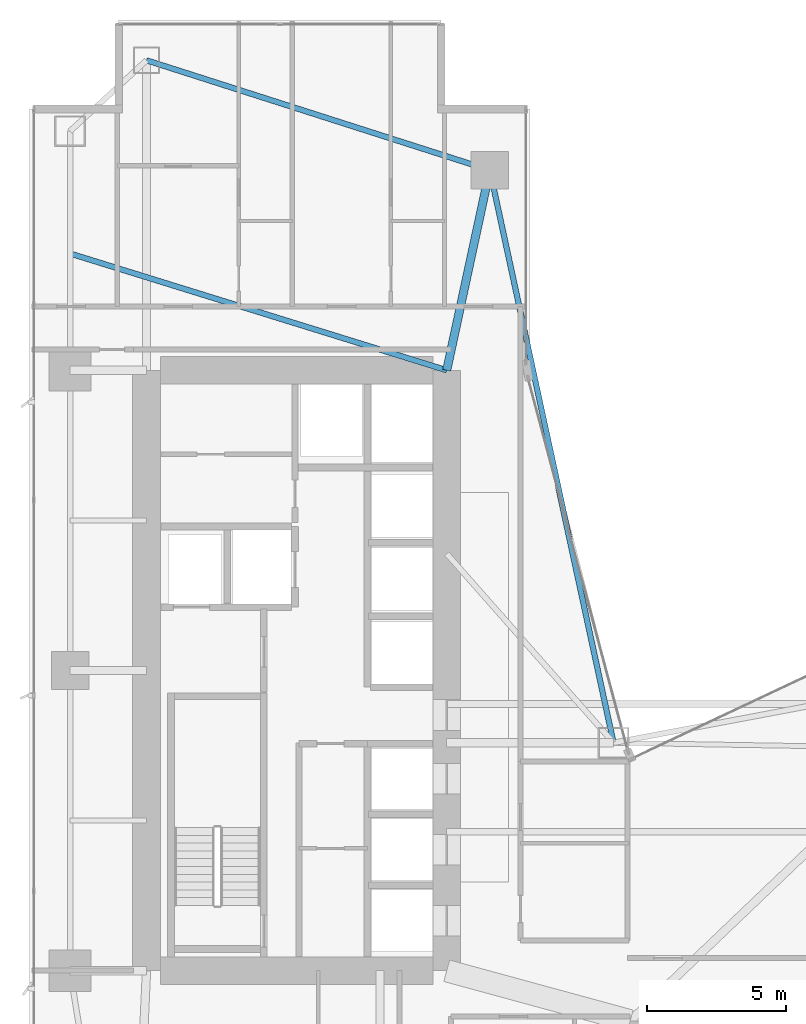
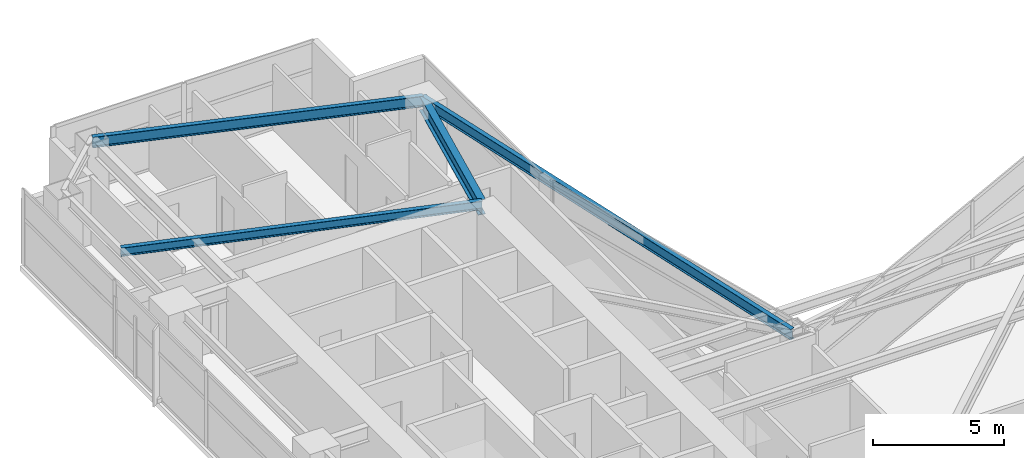
# One storey, part 17 of 29: 4 beams.
"""IFC4 building model written with IfcOpenShell, lengths in metres."""

import ifcopenshell
import ifcopenshell.guid

model = None  # the IFC model being written
_history = None  # IfcOwnerHistory: only IFC2X3 demands one
_inside = {}  # id of a spatial element -> (the spatial element, [elements in it])
_under = {}  # id of a project, library or spatial element -> (it, [spatial elements below it])
_declared = {}  # id of a project -> (the project, [libraries it declares])
_typed = {}  # id of a type object -> (the type object, [elements of that type])
_made_of = {}  # id of a material, layer set ... -> (it, [elements and type objects made of it])


def new_model(schema):
    """Start an empty IFC model of exactly this schema.

    Asked for "IFC4X3", IfcOpenShell would pick the latest addendum, in which some entities
    have other attributes; the version numbers below select the first issue.
    IFC2X3 requires an IfcOwnerHistory on every rooted entity: one is made here for all.
    """
    global model, _history
    if schema == "IFC4X3":
        model = ifcopenshell.file(schema_version=(4, 3, 0, 0))
    else:
        model = ifcopenshell.file(schema=schema)
    _inside.clear()
    _under.clear()
    _declared.clear()
    _typed.clear()
    _made_of.clear()
    _history = None
    if model.schema == "IFC2X3":
        org = make("IfcOrganization", Name="unknown")
        user = make(
            "IfcPersonAndOrganization",
            ThePerson=make("IfcPerson", FamilyName="unknown"),
            TheOrganization=org,
        )
        app = make(
            "IfcApplication",
            ApplicationDeveloper=org,
            Version="unknown",
            ApplicationFullName="unknown",
            ApplicationIdentifier="unknown",
        )
        _history = make(
            "IfcOwnerHistory",
            OwningUser=user,
            OwningApplication=app,
            ChangeAction="ADDED",
            CreationDate=0,
        )
    return model


def make(cls, **values):
    """One entity of the class cls with the attributes given. An attribute that is None is left unset."""
    return model.create_entity(
        cls, **{name: value for name, value in values.items() if value is not None}
    )


def rooted(cls, **values):
    """An entity with a GlobalId (a new one), such as an element, a storey or a relation."""
    return make(cls, GlobalId=ifcopenshell.guid.new(), OwnerHistory=_history, **values)


def si_unit(unit_type, name, prefix=None):
    """IfcSIUnit, for example si_unit("LENGTHUNIT", "METRE", prefix="MILLI")."""
    return make("IfcSIUnit", UnitType=unit_type, Prefix=prefix, Name=name)


def assignment(units):
    """IfcUnitAssignment: the units of a project."""
    return None if units is None else make("IfcUnitAssignment", Units=units)


def point(xyz):
    """IfcCartesianPoint."""
    return None if xyz is None else make("IfcCartesianPoint", Coordinates=xyz)


def direction(xyz):
    """IfcDirection."""
    return None if xyz is None else make("IfcDirection", DirectionRatios=xyz)


def frame(location, z_axis=None, x_axis=None):
    """IfcAxis2Placement3D, a coordinate frame: its origin and axes. An axis left out is left unset."""
    return make(
        "IfcAxis2Placement3D",
        Location=point(location),
        Axis=direction(z_axis),
        RefDirection=direction(x_axis),
    )


def frame_2d(location, x_axis=None):
    """IfcAxis2Placement2D, a coordinate frame in the plane: its origin and x axis."""
    return make(
        "IfcAxis2Placement2D", Location=point(location), RefDirection=direction(x_axis)
    )


def origin():
    """The frame at (0, 0, 0) with its axes left unset."""
    return frame((0.0, 0.0, 0.0))


def origin_2d():
    """The frame at (0, 0) in the plane with its x axis left unset."""
    return frame_2d((0.0, 0.0))


def place(relative_to, where):
    """IfcLocalPlacement: puts the frame where relative to a parent placement (None: the world)."""
    return make(
        "IfcLocalPlacement", PlacementRelTo=relative_to, RelativePlacement=where
    )


def context(
    kind, dimensions, precision=None, world=None, true_north=None, identifier=None
):
    """IfcGeometricRepresentationContext, for example the 3D "Model" context."""
    return make(
        "IfcGeometricRepresentationContext",
        ContextIdentifier=identifier,
        ContextType=kind,
        CoordinateSpaceDimension=dimensions,
        Precision=precision,
        WorldCoordinateSystem=world,
        TrueNorth=true_north,
    )


def subcontext(parent, identifier, kind, view, scale=None):
    """IfcGeometricRepresentationSubContext, for example "Body" below "Model"."""
    return make(
        "IfcGeometricRepresentationSubContext",
        ContextIdentifier=identifier,
        ContextType=kind,
        ParentContext=parent,
        TargetScale=scale,
        TargetView=view,
    )


def project(units=None, contexts=None):
    """IfcProject with its units and contexts."""
    return rooted(
        "IfcProject",
        Name="project",
        RepresentationContexts=contexts,
        UnitsInContext=assignment(units),
    )


def spatial(cls, under=None, at=None, **own):
    """A site, building, storey or space (cls), placed at a placement, below another one or the project."""
    s = rooted(cls, ObjectPlacement=at, **own)
    if under is not None:
        _under.setdefault(under.id(), (under, []))[1].append(s)
    return s


def profile(cls, at=None, kind="AREA", **sizes):
    """A parametric profile (cls). Its sizes go by their IFC names, for example OverallWidth=200.0."""
    return make(cls, ProfileType=kind, Position=at, **sizes)


def i_section(**sizes):
    """IfcIShapeProfileDef."""
    return profile("IfcIShapeProfileDef", **sizes)


def extrude(swept, where, along, depth):
    """IfcExtrudedAreaSolid: the profile swept, set in the frame where, extruded along a direction by depth."""
    return make(
        "IfcExtrudedAreaSolid",
        SweptArea=swept,
        Position=where,
        ExtrudedDirection=direction(along),
        Depth=depth,
    )


def shape(context_of_items, identifier, shape_type, items):
    """IfcShapeRepresentation: the items that make up one representation, for example the "Body"."""
    return make(
        "IfcShapeRepresentation",
        ContextOfItems=context_of_items,
        RepresentationIdentifier=identifier,
        RepresentationType=shape_type,
        Items=items,
    )


def material(Name=None, Category=None):
    """IfcMaterial."""
    return make("IfcMaterial", Name=Name, Category=Category)


def material_profile(
    of_material, cross_section, Name=None, Category=None, Priority=None
):
    """IfcMaterialProfile: a cross section and its material."""
    return make(
        "IfcMaterialProfile",
        Name=Name,
        Material=of_material,
        Profile=cross_section,
        Priority=Priority,
        Category=Category,
    )


def profile_set(profiles, Name=None, composite=None):
    """IfcMaterialProfileSet."""
    return make(
        "IfcMaterialProfileSet",
        Name=Name,
        MaterialProfiles=profiles,
        CompositeProfile=composite,
    )


def made_of(thing, what):
    """Note that an element or type object is made of a material, layer set ...; save() writes the relation."""
    if what is not None:
        _made_of.setdefault(what.id(), (what, []))[1].append(thing)
    return thing


def type_object(cls, material=None, **own):
    """A type object (cls), such as IfcWallType, which elements share."""
    return made_of(rooted(cls, **own), material)


def element(
    cls,
    number,
    at=None,
    inside=None,
    cuts=None,
    type_object=None,
    material=None,
    context=None,
    identifier="Body",
    shape_type=None,
    held_by="IfcProductDefinitionShape",
    body=None,
    shapes=None,
    **own,
):
    """One element of the class cls, such as IfcWall. Its Tag is "e" and its number.

    at: its placement. inside: the storey or other place that contains it. cuts: it is an
    opening in that element (IfcRelVoidsElement). A single representation is given by context,
    identifier, shape_type and body (its items); several are given by shapes. held_by: the class
    of the entity that holds the representations. save() writes the other relations.
    """
    e = rooted(cls, Tag="e%d" % number, ObjectPlacement=at, **own)
    if body is not None:
        shapes = [shape(context, identifier, shape_type, body)]
    if shapes is not None:
        e.Representation = make(held_by, Representations=shapes)
    if inside is not None:
        _inside.setdefault(inside.id(), (inside, []))[1].append(e)
    if cuts is not None:
        rooted(
            "IfcRelVoidsElement", RelatingBuildingElement=cuts, RelatedOpeningElement=e
        )
    if type_object is not None:
        _typed.setdefault(type_object.id(), (type_object, []))[1].append(e)
    return made_of(e, material)


def aggregate(whole, parts):
    """IfcRelAggregates: a whole, such as a stair, and the parts it consists of."""
    return rooted("IfcRelAggregates", RelatingObject=whole, RelatedObjects=parts)


def save(model, path):
    """Write the relations noted so far, then the file.

    IfcRelAggregates (storeys below a building ...), IfcRelContainedInSpatialStructure (elements
    in a storey), IfcRelDefinesByType, IfcRelAssociatesMaterial and IfcRelDeclares: one each for
    every whole, place, type object, material and project.
    """
    for whole, parts in _under.values():
        aggregate(whole, parts)
    for where, things in _inside.values():
        rooted(
            "IfcRelContainedInSpatialStructure",
            RelatedElements=things,
            RelatingStructure=where,
        )
    for kind, things in _typed.values():
        rooted("IfcRelDefinesByType", RelatedObjects=things, RelatingType=kind)
    for what, things in _made_of.values():
        rooted("IfcRelAssociatesMaterial", RelatedObjects=things, RelatingMaterial=what)
    for by, libraries in _declared.values():
        rooted("IfcRelDeclares", RelatingContext=by, RelatedDefinitions=libraries)
    model.write(path)


model = new_model("IFC4")

# Units and contexts
model_context = context("Model", 3, precision=1e-05, world=origin(), true_north=direction((0.0, 1.0)))
body_context = subcontext(model_context, "Body", "Model", "MODEL_VIEW")
ifc_project = project(units=[si_unit("LENGTHUNIT", "METRE"), si_unit("AREAUNIT", "SQUARE_METRE"), si_unit("VOLUMEUNIT", "CUBIC_METRE"), si_unit("PLANEANGLEUNIT", "RADIAN"), si_unit("MASSUNIT", "GRAM", prefix="KILO")], contexts=[model_context])

# Site, building, storey
site_placement = place(None, origin())
site = spatial("IfcSite", under=ifc_project, at=site_placement, CompositionType="ELEMENT")
building_placement = place(site_placement, origin())
building = spatial("IfcBuilding", under=site, at=building_placement, Name="Calvorn Quay Hotel", CompositionType="ELEMENT")
storey_placement = place(building_placement, frame((0.0, 0.0, 66.0)))
storey = spatial("IfcBuildingStorey", under=building, at=storey_placement, Name="L15", CompositionType="ELEMENT", Elevation=66.0)

# Beams
ifc_material_1 = material(Name="Steel Q390GJC", Category="steel")
ifc_material_profile_1 = material_profile(ifc_material_1, i_section(OverallWidth=0.300048828125, OverallDepth=0.699951171875, WebThickness=0.012939453125, FlangeThickness=0.02392578125, FilletRadius=0.02392578125, at=origin_2d()), Name="HN700x300x13x24")
ifc_profile_set_1 = profile_set([ifc_material_profile_1], Name="Steel Q390GJC")
beam_type_1 = type_object("IfcBeamType", Name="BM-GIRD-MAIN", PredefinedType="BEAM", material=ifc_profile_set_1)
beam_1_placement = place(storey_placement, frame((16.550048828125, 45.60009765625, 3.18994140625), z_axis=(-0.210457140491, -0.97760308511, 0.0), x_axis=(0.97760308511, -0.210457140491, 0.0)))
element("IfcBeam", 1, at=beam_1_placement, inside=storey, type_object=beam_type_1, Name="Beam BG-L15-W6", PredefinedType="BEAM", context=body_context, shape_type="SweptSolid", body=[
    extrude(i_section(OverallWidth=0.300048828125, OverallDepth=0.699951171875, WebThickness=0.012939453125, FlangeThickness=0.02392578125, FilletRadius=0.02392578125, at=origin_2d()), origin(), (0.0, 0.0, 1.0), 7.365234375),
])
ifc_material_2 = material(Name="Steel Q355B", Category="steel")
ifc_material_profile_2 = material_profile(ifc_material_2, i_section(OverallWidth=0.199951171875, OverallDepth=0.39990234375, WebThickness=0.008056640625, FlangeThickness=0.012939453125, FilletRadius=0.01611328125, at=origin_2d()), Name="HN400x200x8x13")
ifc_profile_set_2 = profile_set([ifc_material_profile_2], Name="Steel Q355B")
beam_type_2 = type_object("IfcBeamType", Name="BM-JOIST-TYP", PredefinedType="JOIST", material=ifc_profile_set_2)
beam_2_placement = place(storey_placement, frame((1.449951171875, 42.60009765625, 3.340087890625), z_axis=(0.955163702122, -0.296078202759, 0.0), x_axis=(0.296078202759, 0.955163702122, 0.0)))
element("IfcBeam", 2, at=beam_2_placement, inside=storey, type_object=beam_type_2, Name="Beam BJ-L15-W2", PredefinedType="JOIST", context=body_context, shape_type="SweptSolid", body=[
    extrude(i_section(OverallWidth=0.199951171875, OverallDepth=0.39990234375, WebThickness=0.008056640625, FlangeThickness=0.012939453125, FilletRadius=0.01611328125, at=origin_2d()), origin(), (0.0, 0.0, 1.0), 14.18603515625),
])
ifc_material_3 = material(Name="Steel Q355B", Category="steel")
ifc_material_profile_3 = material_profile(ifc_material_3, i_section(OverallWidth=0.199951171875, OverallDepth=0.5, WebThickness=0.010009765625, FlangeThickness=0.01611328125, FilletRadius=0.01611328125, at=origin_2d()), Name="HN500x200x10x16")
ifc_profile_set_3 = profile_set([ifc_material_profile_3], Name="Steel Q355B")
beam_type_3 = type_object("IfcBeamType", Name="BM-SPANDREL-Z1", PredefinedType="SPANDREL", material=ifc_profile_set_3)
beam_3_placement = place(storey_placement, frame((4.199951171875, 49.550048828125, 3.2900390625), z_axis=(0.952470702374, -0.304630203885, 0.0), x_axis=(0.304630203885, 0.952470702374, 0.0)))
element("IfcBeam", 3, at=beam_3_placement, inside=storey, type_object=beam_type_3, Name="Beam BSP-L15-W6", PredefinedType="SPANDREL", context=body_context, shape_type="SweptSolid", body=[
    extrude(i_section(OverallWidth=0.199951171875, OverallDepth=0.5, WebThickness=0.010009765625, FlangeThickness=0.01611328125, FilletRadius=0.01611328125, at=origin_2d()), origin(), (0.0, 0.0, 1.0), 12.96630859375),
])
beam_4_placement = place(storey_placement, frame((16.550048828125, 45.60009765625, 3.2900390625), z_axis=(0.211145848376, -0.977454567084, 0.0), x_axis=(0.977454567084, 0.211145848376, 0.0)))
element("IfcBeam", 4, at=beam_4_placement, inside=storey, type_object=beam_type_3, Name="Beam BSP-L15-W7", PredefinedType="SPANDREL", context=body_context, shape_type="SweptSolid", body=[
    extrude(i_section(OverallWidth=0.199951171875, OverallDepth=0.5, WebThickness=0.010009765625, FlangeThickness=0.01611328125, FilletRadius=0.01611328125, at=origin_2d()), origin(), (0.0, 0.0, 1.0), 21.0751953125),
])

save(model, "model.ifc")
